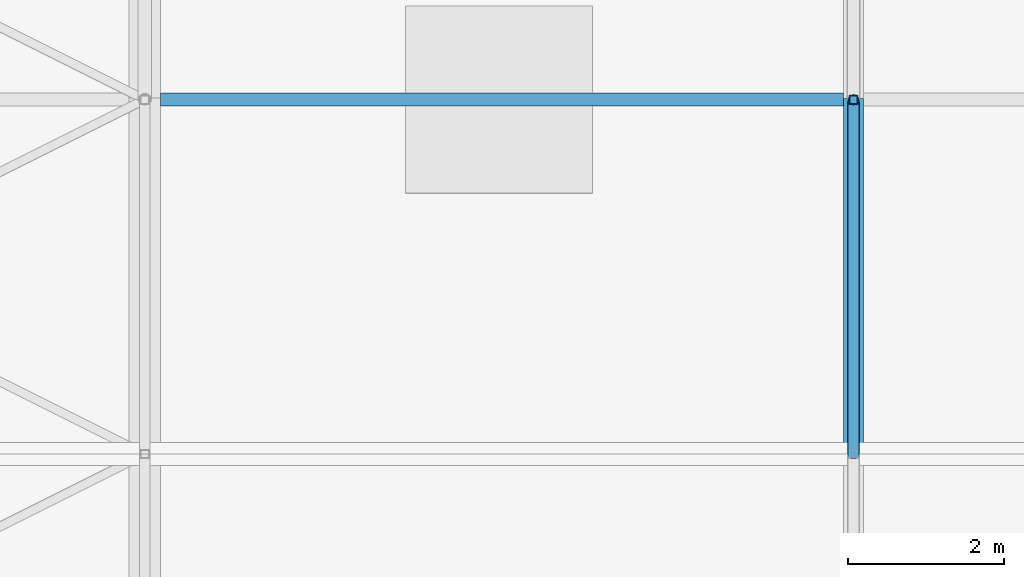
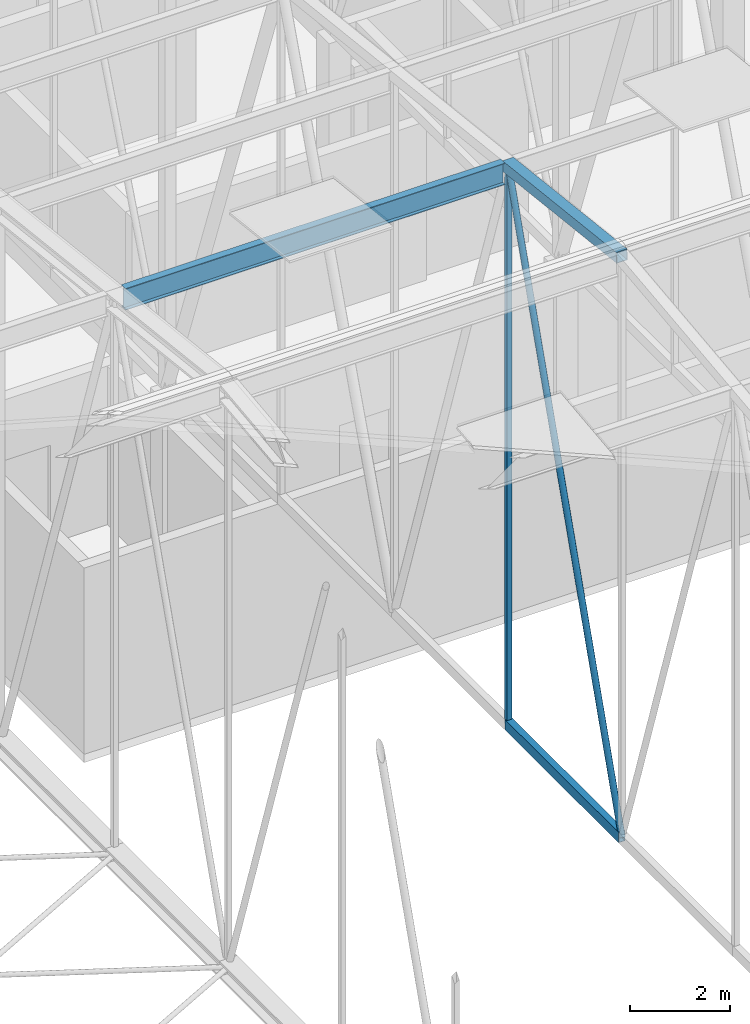
# One storey, part 277 of 500: 5 members.
"""IFC4 building model written with IfcOpenShell, lengths in metres."""

import ifcopenshell
import ifcopenshell.guid

model = None  # the IFC model being written
_history = None  # IfcOwnerHistory: only IFC2X3 demands one
_inside = {}  # id of a spatial element -> (the spatial element, [elements in it])
_under = {}  # id of a project, library or spatial element -> (it, [spatial elements below it])
_declared = {}  # id of a project -> (the project, [libraries it declares])
_typed = {}  # id of a type object -> (the type object, [elements of that type])
_made_of = {}  # id of a material, layer set ... -> (it, [elements and type objects made of it])


def new_model(schema):
    """Start an empty IFC model of exactly this schema.

    Asked for "IFC4X3", IfcOpenShell would pick the latest addendum, in which some entities
    have other attributes; the version numbers below select the first issue.
    IFC2X3 requires an IfcOwnerHistory on every rooted entity: one is made here for all.
    """
    global model, _history
    if schema == "IFC4X3":
        model = ifcopenshell.file(schema_version=(4, 3, 0, 0))
    else:
        model = ifcopenshell.file(schema=schema)
    _inside.clear()
    _under.clear()
    _declared.clear()
    _typed.clear()
    _made_of.clear()
    _history = None
    if model.schema == "IFC2X3":
        org = make("IfcOrganization", Name="unknown")
        user = make(
            "IfcPersonAndOrganization",
            ThePerson=make("IfcPerson", FamilyName="unknown"),
            TheOrganization=org,
        )
        app = make(
            "IfcApplication",
            ApplicationDeveloper=org,
            Version="unknown",
            ApplicationFullName="unknown",
            ApplicationIdentifier="unknown",
        )
        _history = make(
            "IfcOwnerHistory",
            OwningUser=user,
            OwningApplication=app,
            ChangeAction="ADDED",
            CreationDate=0,
        )
    return model


def make(cls, **values):
    """One entity of the class cls with the attributes given. An attribute that is None is left unset."""
    return model.create_entity(
        cls, **{name: value for name, value in values.items() if value is not None}
    )


def rooted(cls, **values):
    """An entity with a GlobalId (a new one), such as an element, a storey or a relation."""
    return make(cls, GlobalId=ifcopenshell.guid.new(), OwnerHistory=_history, **values)


def si_unit(unit_type, name, prefix=None):
    """IfcSIUnit, for example si_unit("LENGTHUNIT", "METRE", prefix="MILLI")."""
    return make("IfcSIUnit", UnitType=unit_type, Prefix=prefix, Name=name)


def assignment(units):
    """IfcUnitAssignment: the units of a project."""
    return None if units is None else make("IfcUnitAssignment", Units=units)


def point(xyz):
    """IfcCartesianPoint."""
    return None if xyz is None else make("IfcCartesianPoint", Coordinates=xyz)


def direction(xyz):
    """IfcDirection."""
    return None if xyz is None else make("IfcDirection", DirectionRatios=xyz)


def frame(location, z_axis=None, x_axis=None):
    """IfcAxis2Placement3D, a coordinate frame: its origin and axes. An axis left out is left unset."""
    return make(
        "IfcAxis2Placement3D",
        Location=point(location),
        Axis=direction(z_axis),
        RefDirection=direction(x_axis),
    )


def frame_2d(location, x_axis=None):
    """IfcAxis2Placement2D, a coordinate frame in the plane: its origin and x axis."""
    return make(
        "IfcAxis2Placement2D", Location=point(location), RefDirection=direction(x_axis)
    )


def origin():
    """The frame at (0, 0, 0) with its axes left unset."""
    return frame((0.0, 0.0, 0.0))


def origin_2d():
    """The frame at (0, 0) in the plane with its x axis left unset."""
    return frame_2d((0.0, 0.0))


def place(relative_to, where):
    """IfcLocalPlacement: puts the frame where relative to a parent placement (None: the world)."""
    return make(
        "IfcLocalPlacement", PlacementRelTo=relative_to, RelativePlacement=where
    )


def context(
    kind, dimensions, precision=None, world=None, true_north=None, identifier=None
):
    """IfcGeometricRepresentationContext, for example the 3D "Model" context."""
    return make(
        "IfcGeometricRepresentationContext",
        ContextIdentifier=identifier,
        ContextType=kind,
        CoordinateSpaceDimension=dimensions,
        Precision=precision,
        WorldCoordinateSystem=world,
        TrueNorth=true_north,
    )


def subcontext(parent, identifier, kind, view, scale=None):
    """IfcGeometricRepresentationSubContext, for example "Body" below "Model"."""
    return make(
        "IfcGeometricRepresentationSubContext",
        ContextIdentifier=identifier,
        ContextType=kind,
        ParentContext=parent,
        TargetScale=scale,
        TargetView=view,
    )


def project(units=None, contexts=None):
    """IfcProject with its units and contexts."""
    return rooted(
        "IfcProject",
        Name="project",
        RepresentationContexts=contexts,
        UnitsInContext=assignment(units),
    )


def spatial(cls, under=None, at=None, **own):
    """A site, building, storey or space (cls), placed at a placement, below another one or the project."""
    s = rooted(cls, ObjectPlacement=at, **own)
    if under is not None:
        _under.setdefault(under.id(), (under, []))[1].append(s)
    return s


def profile(cls, at=None, kind="AREA", **sizes):
    """A parametric profile (cls). Its sizes go by their IFC names, for example OverallWidth=200.0."""
    return make(cls, ProfileType=kind, Position=at, **sizes)


def hollow_rectangle(**sizes):
    """IfcRectangleHollowProfileDef."""
    return profile("IfcRectangleHollowProfileDef", **sizes)


def hollow_circle(**sizes):
    """IfcCircleHollowProfileDef."""
    return profile("IfcCircleHollowProfileDef", **sizes)


def i_section(**sizes):
    """IfcIShapeProfileDef."""
    return profile("IfcIShapeProfileDef", **sizes)


def extrude(swept, where, along, depth):
    """IfcExtrudedAreaSolid: the profile swept, set in the frame where, extruded along a direction by depth."""
    return make(
        "IfcExtrudedAreaSolid",
        SweptArea=swept,
        Position=where,
        ExtrudedDirection=direction(along),
        Depth=depth,
    )


def shape(context_of_items, identifier, shape_type, items):
    """IfcShapeRepresentation: the items that make up one representation, for example the "Body"."""
    return make(
        "IfcShapeRepresentation",
        ContextOfItems=context_of_items,
        RepresentationIdentifier=identifier,
        RepresentationType=shape_type,
        Items=items,
    )


def material(Name=None, Category=None):
    """IfcMaterial."""
    return make("IfcMaterial", Name=Name, Category=Category)


def material_profile(
    of_material, cross_section, Name=None, Category=None, Priority=None
):
    """IfcMaterialProfile: a cross section and its material."""
    return make(
        "IfcMaterialProfile",
        Name=Name,
        Material=of_material,
        Profile=cross_section,
        Priority=Priority,
        Category=Category,
    )


def profile_set(profiles, Name=None, composite=None):
    """IfcMaterialProfileSet."""
    return make(
        "IfcMaterialProfileSet",
        Name=Name,
        MaterialProfiles=profiles,
        CompositeProfile=composite,
    )


def made_of(thing, what):
    """Note that an element or type object is made of a material, layer set ...; save() writes the relation."""
    if what is not None:
        _made_of.setdefault(what.id(), (what, []))[1].append(thing)
    return thing


def type_object(cls, material=None, **own):
    """A type object (cls), such as IfcWallType, which elements share."""
    return made_of(rooted(cls, **own), material)


def element(
    cls,
    number,
    at=None,
    inside=None,
    cuts=None,
    type_object=None,
    material=None,
    context=None,
    identifier="Body",
    shape_type=None,
    held_by="IfcProductDefinitionShape",
    body=None,
    shapes=None,
    **own,
):
    """One element of the class cls, such as IfcWall. Its Tag is "e" and its number.

    at: its placement. inside: the storey or other place that contains it. cuts: it is an
    opening in that element (IfcRelVoidsElement). A single representation is given by context,
    identifier, shape_type and body (its items); several are given by shapes. held_by: the class
    of the entity that holds the representations. save() writes the other relations.
    """
    e = rooted(cls, Tag="e%d" % number, ObjectPlacement=at, **own)
    if body is not None:
        shapes = [shape(context, identifier, shape_type, body)]
    if shapes is not None:
        e.Representation = make(held_by, Representations=shapes)
    if inside is not None:
        _inside.setdefault(inside.id(), (inside, []))[1].append(e)
    if cuts is not None:
        rooted(
            "IfcRelVoidsElement", RelatingBuildingElement=cuts, RelatedOpeningElement=e
        )
    if type_object is not None:
        _typed.setdefault(type_object.id(), (type_object, []))[1].append(e)
    return made_of(e, material)


def aggregate(whole, parts):
    """IfcRelAggregates: a whole, such as a stair, and the parts it consists of."""
    return rooted("IfcRelAggregates", RelatingObject=whole, RelatedObjects=parts)


def save(model, path):
    """Write the relations noted so far, then the file.

    IfcRelAggregates (storeys below a building ...), IfcRelContainedInSpatialStructure (elements
    in a storey), IfcRelDefinesByType, IfcRelAssociatesMaterial and IfcRelDeclares: one each for
    every whole, place, type object, material and project.
    """
    for whole, parts in _under.values():
        aggregate(whole, parts)
    for where, things in _inside.values():
        rooted(
            "IfcRelContainedInSpatialStructure",
            RelatedElements=things,
            RelatingStructure=where,
        )
    for kind, things in _typed.values():
        rooted("IfcRelDefinesByType", RelatedObjects=things, RelatingType=kind)
    for what, things in _made_of.values():
        rooted("IfcRelAssociatesMaterial", RelatedObjects=things, RelatingMaterial=what)
    for by, libraries in _declared.values():
        rooted("IfcRelDeclares", RelatingContext=by, RelatedDefinitions=libraries)
    model.write(path)


model = new_model("IFC4")

# Units and contexts
model_context = context("Model", 3, precision=1e-05, world=origin(), true_north=direction((0.0, 1.0)))
body_context = subcontext(model_context, "Body", "Model", "MODEL_VIEW")
ifc_project = project(units=[si_unit("LENGTHUNIT", "METRE"), si_unit("AREAUNIT", "SQUARE_METRE"), si_unit("VOLUMEUNIT", "CUBIC_METRE"), si_unit("PLANEANGLEUNIT", "RADIAN"), si_unit("MASSUNIT", "GRAM", prefix="KILO")], contexts=[model_context])

# Site, building, storey
site_placement = place(None, origin())
site = spatial("IfcSite", under=ifc_project, at=site_placement, CompositionType="ELEMENT")
building_placement = place(site_placement, origin())
building = spatial("IfcBuilding", under=site, at=building_placement, Name="Shirokan Park Arena", CompositionType="ELEMENT")
storey_placement = place(building_placement, frame((0.0, 0.0, 29.1201171875)))
storey = spatial("IfcBuildingStorey", under=building, at=storey_placement, Name="L06", CompositionType="ELEMENT", Elevation=29.1201171875)

# Members
ifc_material_1 = material(Name="Steel ASTM A500 Grade C", Category="steel")
ifc_material_profile_1 = material_profile(ifc_material_1, hollow_rectangle(XDim=0.152099609375, YDim=0.25390625, WallThickness=0.009521484375, at=origin_2d()), Name="HSS254X152.4X9.5")
ifc_profile_set_1 = profile_set([ifc_material_profile_1], Name="Steel ASTM A500 Grade C")
member_type_1 = type_object("IfcMemberType", Name="Bottom chord HSS254X152.4X9.5", PredefinedType="CHORD", material=ifc_profile_set_1)
member_1_placement = place(storey_placement, frame((109.199951171875, 54.60009765625, 4.677001953125), z_axis=(0.0, 1.0, 0.0), x_axis=(-1.0, 0.0, 0.0)))
element("IfcMember", 1, at=member_1_placement, inside=storey, type_object=member_type_1, Name="Truss T13 bottom chord 15", PredefinedType="CHORD", context=body_context, shape_type="SweptSolid", body=[
    extrude(hollow_rectangle(XDim=0.152099609375, YDim=0.25390625, WallThickness=0.009521484375, at=origin_2d()), origin(), (0.0, 0.0, 1.0), 4.5498046875),
])
ifc_material_2 = material(Name="Steel ASTM A992", Category="steel")
ifc_material_profile_2 = material_profile(ifc_material_2, i_section(OverallWidth=0.166015625, OverallDepth=0.528076171875, WebThickness=0.009765625, FlangeThickness=0.013671875, at=origin_2d()), Name="W530X74")
ifc_profile_set_2 = profile_set([ifc_material_profile_2], Name="Steel ASTM A992")
member_type_2 = type_object("IfcMemberType", Name="Purlin W530X74", PredefinedType="PURLIN", material=ifc_profile_set_2)
member_2_placement = place(storey_placement, frame((100.302978515625, 59.14990234375, 18.205810546875), z_axis=(1.0, 0.0, 0.0), x_axis=(0.0, 1.0, 0.0)))
element("IfcMember", 2, at=member_2_placement, inside=storey, type_object=member_type_2, Name="Purlin 16 bay 12", PredefinedType="PURLIN", context=body_context, shape_type="SweptSolid", body=[
    extrude(i_section(OverallWidth=0.166015625, OverallDepth=0.528076171875, WebThickness=0.009765625, FlangeThickness=0.013671875, at=origin_2d()), origin(), (0.0, 0.0, 1.0), 8.77001953125),
])
ifc_material_profile_3 = material_profile(ifc_material_1, hollow_rectangle(XDim=0.25390625, YDim=0.25390625, WallThickness=0.009521484375, at=origin_2d()), Name="HSS254X254X9.5")
ifc_profile_set_3 = profile_set([ifc_material_profile_3], Name="Steel ASTM A500 Grade C")
member_type_3 = type_object("IfcMemberType", Name="Top chord HSS254X254X9.5", PredefinedType="CHORD", material=ifc_profile_set_3)
member_3_placement = place(storey_placement, frame((109.199951171875, 54.60009765625, 18.86279296875), z_axis=(0.0, 0.993531641592, -0.11355561261), x_axis=(-1.0, 0.0, 0.0)))
element("IfcMember", 3, at=member_3_placement, inside=storey, type_object=member_type_3, Name="Truss T13 top chord 15", PredefinedType="CHORD", context=body_context, shape_type="SweptSolid", body=[
    extrude(hollow_rectangle(XDim=0.25390625, YDim=0.25390625, WallThickness=0.009521484375, at=origin_2d()), origin(), (0.0, 0.0, 1.0), 4.579345703125),
])
ifc_material_profile_4 = material_profile(ifc_material_1, hollow_circle(Radius=0.070556640625, WallThickness=0.006591796875, at=origin_2d()), Name="HSS141.3X6.6")
ifc_profile_set_4 = profile_set([ifc_material_profile_4], Name="Steel ASTM A500 Grade C")
member_type_4 = type_object("IfcMemberType", Name="Truss diagonal HSS141.3X6.6", PredefinedType="BRACE", material=ifc_profile_set_4)
member_4_placement = place(storey_placement, frame((109.199951171875, 54.60009765625, 4.677001953125), z_axis=(0.0, 0.315887043243, 0.948796804332), x_axis=(-1.0, 0.0, 0.0)))
element("IfcMember", 4, at=member_4_placement, inside=storey, type_object=member_type_4, Name="Truss T13 diagonal 15", PredefinedType="BRACE", context=body_context, shape_type="SweptSolid", body=[
    extrude(hollow_circle(Radius=0.070556640625, WallThickness=0.006591796875, at=origin_2d()), origin(), (0.0, 0.0, 1.0), 14.4033203125),
])
ifc_material_profile_5 = material_profile(ifc_material_1, hollow_rectangle(XDim=0.114013671875, YDim=0.114013671875, WallThickness=0.00634765625, at=origin_2d()), Name="HSS114.3X114.3X6.4")
ifc_profile_set_5 = profile_set([ifc_material_profile_5], Name="Steel ASTM A500 Grade C")
member_type_5 = type_object("IfcMemberType", Name="Truss post HSS114.3X114.3X6.4", PredefinedType="POST", material=ifc_profile_set_5)
member_5_placement = place(storey_placement, frame((109.199951171875, 59.14990234375, 4.677001953125), z_axis=(0.0, 0.0, 1.0), x_axis=(1.0, 0.0, 0.0)))
element("IfcMember", 5, at=member_5_placement, inside=storey, type_object=member_type_5, Name="Truss T13 post 16", PredefinedType="POST", context=body_context, shape_type="SweptSolid", body=[
    extrude(hollow_rectangle(XDim=0.114013671875, YDim=0.114013671875, WallThickness=0.00634765625, at=origin_2d()), origin(), (0.0, 0.0, 1.0), 13.665771484375),
])

save(model, "model.ifc")
